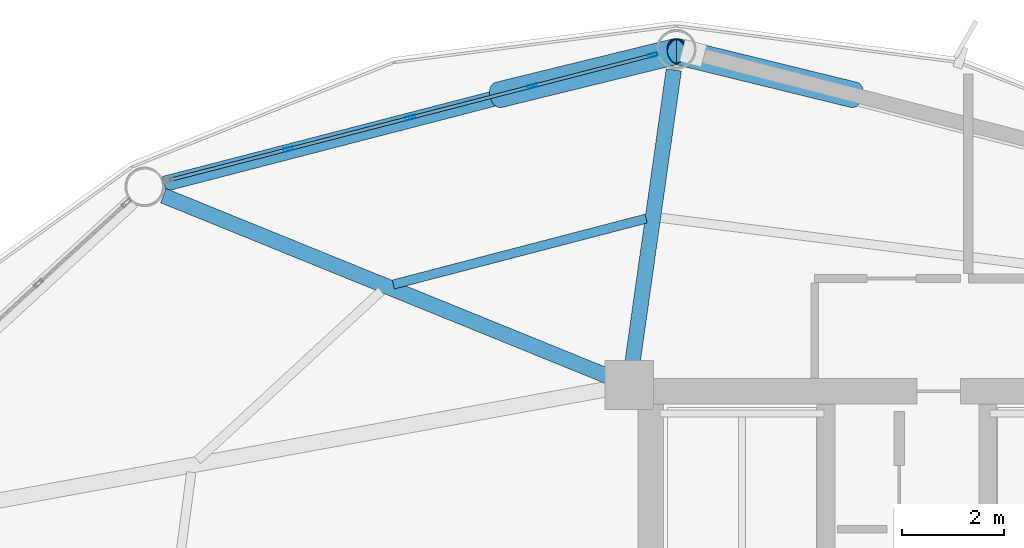
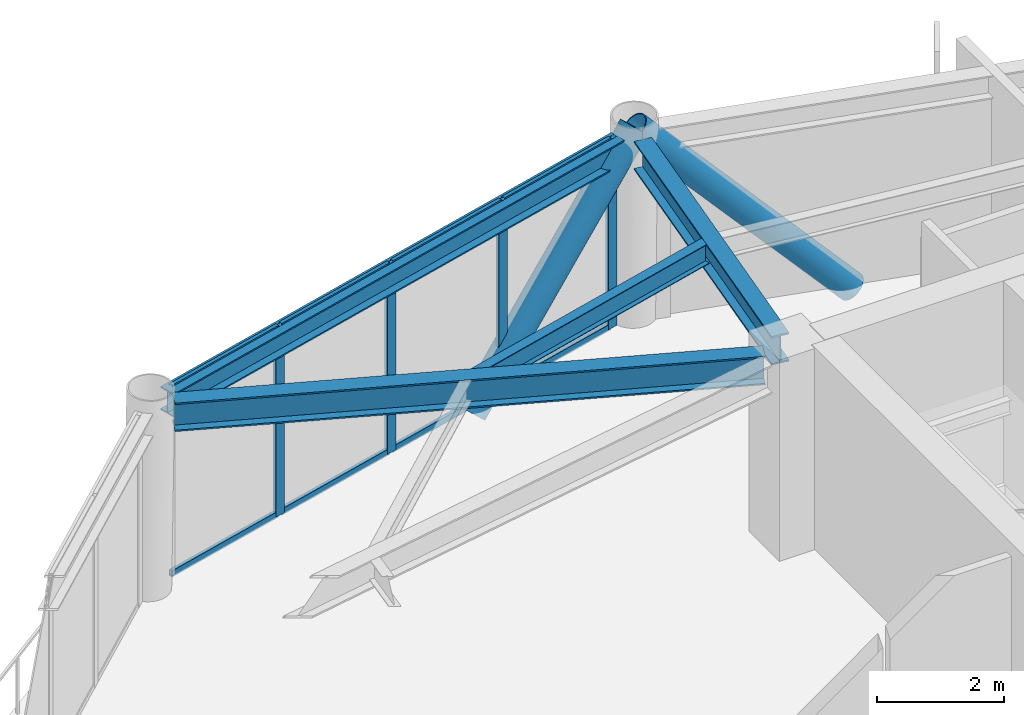
# One storey, part 18 of 27: 14 members, 4 beams, 1 element without a shape of its own.
"""IFC4 building model written with IfcOpenShell, lengths in metres."""

from ifc_helpers import new_model, si_unit, direction, frame, origin, origin_2d, place, context, subcontext, project, spatial, hollow_rectangle, hollow_circle, i_section, extrude, material, layer, layer_set, material_profile, profile_set, type_object, element, aggregate, save


model = new_model("IFC4")

# Units and contexts
model_context = context("Model", 3, precision=1e-05, world=origin(), true_north=direction((0.0, 1.0)))
body_context = subcontext(model_context, "Body", "Model", "MODEL_VIEW")
ifc_project = project(units=[si_unit("LENGTHUNIT", "METRE"), si_unit("AREAUNIT", "SQUARE_METRE"), si_unit("VOLUMEUNIT", "CUBIC_METRE"), si_unit("PLANEANGLEUNIT", "RADIAN"), si_unit("MASSUNIT", "GRAM", prefix="KILO")], contexts=[model_context])

# Site, building, storey
site_placement = place(None, origin())
site = spatial("IfcSite", under=ifc_project, at=site_placement, CompositionType="ELEMENT")
building_placement = place(site_placement, origin())
building = spatial("IfcBuilding", under=site, at=building_placement, Name="Varnakorn Sky Granary", CompositionType="ELEMENT")
storey_placement = place(building_placement, frame((0.0, 0.0, 142.199951171875)))
storey = spatial("IfcBuildingStorey", under=building, at=storey_placement, Name="L35", CompositionType="ELEMENT", Elevation=142.199951171875)

# Beams
ifc_material_1 = material(Name="Steel S355JR", Category="steel")
ifc_material_profile_1 = material_profile(ifc_material_1, i_section(OverallWidth=0.300048828125, OverallDepth=0.550048828125, WebThickness=0.014892578125, FlangeThickness=0.029052734375, at=origin_2d()), Name="HE 550 B")
ifc_profile_set_1 = profile_set([ifc_material_profile_1], Name="Steel S355JR")
beam_type_1 = type_object("IfcBeamType", Name="BM-RAD-Z3", PredefinedType="BEAM", material=ifc_profile_set_1)
beam_1_placement = place(storey_placement, frame((-2.361328125, 13.035888671875, 3.364990234375), z_axis=(0.13979319364, 0.9901807224, 0.0), x_axis=(-0.9901807224, 0.13979319364, 0.0)))
element("IfcBeam", 1, at=beam_1_placement, inside=storey, type_object=beam_type_1, Name="Radial Floor Girder RG04 L35", PredefinedType="BEAM", context=body_context, shape_type="SweptSolid", body=[
    extrude(i_section(OverallWidth=0.300048828125, OverallDepth=0.550048828125, WebThickness=0.014892578125, FlangeThickness=0.029052734375, at=origin_2d()), origin(), (0.0, 0.0, 1.0), 5.794677734375),
])
beam_2_placement = place(storey_placement, frame((-2.80908203125, 12.778076171875, 3.364990234375), z_axis=(-0.926422707242, 0.376485016312, 0.0), x_axis=(-0.376485016312, -0.926422707242, 0.0)))
element("IfcBeam", 2, at=beam_2_placement, inside=storey, type_object=beam_type_1, Name="Radial Floor Girder RG05 L35", PredefinedType="BEAM", context=body_context, shape_type="SweptSolid", body=[
    extrude(i_section(OverallWidth=0.300048828125, OverallDepth=0.550048828125, WebThickness=0.014892578125, FlangeThickness=0.029052734375, at=origin_2d()), origin(), (0.0, 0.0, 1.0), 9.40087890625),
])
ifc_material_profile_2 = material_profile(ifc_material_1, i_section(OverallWidth=0.179931640625, OverallDepth=0.39990234375, WebThickness=0.008544921875, FlangeThickness=0.013427734375, at=origin_2d()), Name="IPE 400")
ifc_profile_set_2 = profile_set([ifc_material_profile_2], Name="Steel S355JR")
beam_type_2 = type_object("IfcBeamType", Name="BM-SEC-Z3", PredefinedType="BEAM", material=ifc_profile_set_2)
beam_3_placement = place(storey_placement, frame((-2.091796875, 15.869384765625, 3.43994140625), z_axis=(-0.967684831561, -0.252162778313, 0.0), x_axis=(0.252162778313, -0.967684831561, 0.0)))
element("IfcBeam", 3, at=beam_3_placement, inside=storey, type_object=beam_type_2, Name="Secondary Floor Chord Beam MSB04 L35", PredefinedType="BEAM", context=body_context, shape_type="SweptSolid", body=[
    extrude(i_section(OverallWidth=0.179931640625, OverallDepth=0.39990234375, WebThickness=0.008544921875, FlangeThickness=0.013427734375, at=origin_2d()), origin(), (0.0, 0.0, 1.0), 5.101318359375),
])
ifc_material_profile_3 = material_profile(ifc_material_1, i_section(OverallWidth=0.300048828125, OverallDepth=0.449951171875, WebThickness=0.013916015625, FlangeThickness=0.02587890625, at=origin_2d()), Name="HE 450 B")
ifc_profile_set_3 = profile_set([ifc_material_profile_3], Name="Steel S355JR")
beam_type_3 = type_object("IfcBeamType", Name="BM-SPD-Z3", PredefinedType="SPANDREL", material=ifc_profile_set_3)
beam_4_placement = place(storey_placement, frame((-1.854248046875, 19.044189453125, 3.4150390625), z_axis=(-0.968106562543, -0.250538786541, 0.0), x_axis=(0.250538786541, -0.968106562543, 0.0)))
element("IfcBeam", 4, at=beam_4_placement, inside=storey, type_object=beam_type_3, Name="Perimeter Spandrel Ring Beam RB04 L35", PredefinedType="SPANDREL", context=body_context, shape_type="SweptSolid", body=[
    extrude(i_section(OverallWidth=0.300048828125, OverallDepth=0.449951171875, WebThickness=0.013916015625, FlangeThickness=0.02587890625, at=origin_2d()), origin(), (0.0, 0.0, 1.0), 9.966796875),
])

# Curtain wall, members
ifc_material_2 = material(Name="Anodised Bronze Aluminium Alloy 6063-T6", Category="aluminium")
ifc_layer = layer(ifc_material_2, 0.179931640625, Name="Anodised Bronze Aluminium Alloy 6063-T6")
ifc_layer_set = layer_set([ifc_layer], Name="Anodised Bronze Aluminium Alloy 6063-T6")
curtain_wall_type = type_object("IfcCurtainWallType", Name="CW-FRM-2", PredefinedType="USERDEFINED", material=ifc_layer_set)
curtain_wall_placement = place(storey_placement, origin())
curtain_wall = element("IfcCurtainWall", 5, at=curtain_wall_placement, inside=storey, type_object=curtain_wall_type, Name="Unitised Curtain Wall CW4 CW-L35-B04", ObjectType="CURTAIN WALL", PredefinedType="USERDEFINED")
ifc_material_profile_4 = material_profile(ifc_material_2, hollow_rectangle(XDim=0.070068359375, YDim=0.18505859375, WallThickness=0.00390625, at=origin_2d()), Name="ALU MULL 70x185")
ifc_profile_set_4 = profile_set([ifc_material_profile_4], Name="Anodised Bronze Aluminium Alloy 6063-T6")
member_type_1 = type_object("IfcMemberType", Name="CW-FRM-2-MULL", PredefinedType="MULLION", material=ifc_profile_set_4)
member_1_placement = place(storey_placement, frame((-9.079833984375, 17.22314453125, 0.0), z_axis=(0.0, 0.0, 1.0), x_axis=(-0.250348042267, 0.968155905696, 0.0)))
member_1 = element("IfcMember", 6, at=member_1_placement, type_object=member_type_1, Name="CW4 mullion 2", PredefinedType="MULLION", context=body_context, shape_type="SweptSolid", body=[
    extrude(hollow_rectangle(XDim=0.070068359375, YDim=0.18505859375, WallThickness=0.00390625, at=origin_2d()), origin(), (0.0, 0.0, 1.0), 3.64013671875),
])
member_2_placement = place(storey_placement, frame((-6.695556640625, 17.839599609375, 0.0), z_axis=(0.0, 0.0, 1.0), x_axis=(-0.250348042267, 0.968155905696, 0.0)))
member_2 = element("IfcMember", 7, at=member_2_placement, type_object=member_type_1, Name="CW4 mullion 3", PredefinedType="MULLION", context=body_context, shape_type="SweptSolid", body=[
    extrude(hollow_rectangle(XDim=0.070068359375, YDim=0.18505859375, WallThickness=0.00390625, at=origin_2d()), origin(), (0.0, 0.0, 1.0), 3.64013671875),
])
member_3_placement = place(storey_placement, frame((-4.311279296875, 18.4560546875, 0.0), z_axis=(0.0, 0.0, 1.0), x_axis=(-0.250348042267, 0.968155905696, 0.0)))
member_3 = element("IfcMember", 8, at=member_3_placement, type_object=member_type_1, Name="CW4 mullion 4", PredefinedType="MULLION", context=body_context, shape_type="SweptSolid", body=[
    extrude(hollow_rectangle(XDim=0.070068359375, YDim=0.18505859375, WallThickness=0.00390625, at=origin_2d()), origin(), (0.0, 0.0, 1.0), 3.64013671875),
])
member_4_placement = place(storey_placement, frame((-1.9609375, 19.063720703125, 0.0), z_axis=(0.0, 0.0, 1.0), x_axis=(-0.250348042267, 0.968155905696, 0.0)))
member_4 = element("IfcMember", 9, at=member_4_placement, type_object=member_type_1, Name="CW4 mullion 5", PredefinedType="MULLION", context=body_context, shape_type="SweptSolid", body=[
    extrude(hollow_rectangle(XDim=0.070068359375, YDim=0.18505859375, WallThickness=0.00390625, at=origin_2d()), origin(), (0.0, 0.0, 1.0), 3.64013671875),
])
ifc_material_profile_5 = material_profile(ifc_material_2, hollow_rectangle(XDim=0.06494140625, YDim=0.1201171875, WallThickness=0.00341796875, at=origin_2d()), Name="ALU TRAN 65x120")
ifc_profile_set_5 = profile_set([ifc_material_profile_5], Name="Anodised Bronze Aluminium Alloy 6063-T6")
member_type_2 = type_object("IfcMemberType", Name="CW-FRM-2-TRAN", PredefinedType="USERDEFINED", material=ifc_profile_set_5)
member_5_placement = place(storey_placement, frame((-11.396240234375, 16.6240234375, 0.032470703125), z_axis=(0.968149508129, 0.250372781888, 0.0), x_axis=(-0.250372781888, 0.968149508129, 0.0)))
member_5 = element("IfcMember", 10, at=member_5_placement, type_object=member_type_2, Name="CW4 transom 1.1", ObjectType="TRANSOM", PredefinedType="USERDEFINED", context=body_context, shape_type="SweptSolid", body=[
    extrude(hollow_rectangle(XDim=0.06494140625, YDim=0.1201171875, WallThickness=0.00341796875, at=origin_2d()), origin(), (0.0, 0.0, 1.0), 2.35791015625),
])
member_6_placement = place(storey_placement, frame((-11.396240234375, 16.6240234375, 3.607666015625), z_axis=(0.968149508129, 0.250372781888, 0.0), x_axis=(-0.250372781888, 0.968149508129, 0.0)))
member_6 = element("IfcMember", 11, at=member_6_placement, type_object=member_type_2, Name="CW4 transom 1.2", ObjectType="TRANSOM", PredefinedType="USERDEFINED", context=body_context, shape_type="SweptSolid", body=[
    extrude(hollow_rectangle(XDim=0.06494140625, YDim=0.1201171875, WallThickness=0.00341796875, at=origin_2d()), origin(), (0.0, 0.0, 1.0), 2.35791015625),
])
member_7_placement = place(storey_placement, frame((-9.0458984375, 17.231689453125, 0.032470703125), z_axis=(0.968141793845, 0.250402609833, 0.0), x_axis=(-0.250402609833, 0.968141793845, 0.0)))
member_7 = element("IfcMember", 12, at=member_7_placement, type_object=member_type_2, Name="CW4 transom 2.1", ObjectType="TRANSOM", PredefinedType="USERDEFINED", context=body_context, shape_type="SweptSolid", body=[
    extrude(hollow_rectangle(XDim=0.06494140625, YDim=0.1201171875, WallThickness=0.00341796875, at=origin_2d()), origin(), (0.0, 0.0, 1.0), 2.392578125),
])
member_8_placement = place(storey_placement, frame((-9.0458984375, 17.231689453125, 3.607666015625), z_axis=(0.968141793845, 0.250402609833, 0.0), x_axis=(-0.250402609833, 0.968141793845, 0.0)))
member_8 = element("IfcMember", 13, at=member_8_placement, type_object=member_type_2, Name="CW4 transom 2.2", ObjectType="TRANSOM", PredefinedType="USERDEFINED", context=body_context, shape_type="SweptSolid", body=[
    extrude(hollow_rectangle(XDim=0.06494140625, YDim=0.1201171875, WallThickness=0.00341796875, at=origin_2d()), origin(), (0.0, 0.0, 1.0), 2.392578125),
])
member_9_placement = place(storey_placement, frame((-6.66162109375, 17.848388671875, 0.032470703125), z_axis=(0.968166526472, 0.250306965581, 0.0), x_axis=(-0.250306965581, 0.968166526472, 0.0)))
member_9 = element("IfcMember", 14, at=member_9_placement, type_object=member_type_2, Name="CW4 transom 3.1", ObjectType="TRANSOM", PredefinedType="USERDEFINED", context=body_context, shape_type="SweptSolid", body=[
    extrude(hollow_rectangle(XDim=0.06494140625, YDim=0.1201171875, WallThickness=0.00341796875, at=origin_2d()), origin(), (0.0, 0.0, 1.0), 2.392578125),
])
member_10_placement = place(storey_placement, frame((-6.66162109375, 17.848388671875, 3.607666015625), z_axis=(0.968166526472, 0.250306965581, 0.0), x_axis=(-0.250306965581, 0.968166526472, 0.0)))
member_10 = element("IfcMember", 15, at=member_10_placement, type_object=member_type_2, Name="CW4 transom 3.2", ObjectType="TRANSOM", PredefinedType="USERDEFINED", context=body_context, shape_type="SweptSolid", body=[
    extrude(hollow_rectangle(XDim=0.06494140625, YDim=0.1201171875, WallThickness=0.00341796875, at=origin_2d()), origin(), (0.0, 0.0, 1.0), 2.392578125),
])
member_11_placement = place(storey_placement, frame((-4.27734375, 18.46484375, 0.032470703125), z_axis=(0.96814301625, 0.250397883548, 0.0), x_axis=(-0.250397883548, 0.96814301625, 0.0)))
member_11 = element("IfcMember", 16, at=member_11_placement, type_object=member_type_2, Name="CW4 transom 4.1", ObjectType="TRANSOM", PredefinedType="USERDEFINED", context=body_context, shape_type="SweptSolid", body=[
    extrude(hollow_rectangle(XDim=0.06494140625, YDim=0.1201171875, WallThickness=0.00341796875, at=origin_2d()), origin(), (0.0, 0.0, 1.0), 2.357666015625),
])
member_12_placement = place(storey_placement, frame((-4.27734375, 18.46484375, 3.607666015625), z_axis=(0.96814301625, 0.250397883548, 0.0), x_axis=(-0.250397883548, 0.96814301625, 0.0)))
member_12 = element("IfcMember", 17, at=member_12_placement, type_object=member_type_2, Name="CW4 transom 4.2", ObjectType="TRANSOM", PredefinedType="USERDEFINED", context=body_context, shape_type="SweptSolid", body=[
    extrude(hollow_rectangle(XDim=0.06494140625, YDim=0.1201171875, WallThickness=0.00341796875, at=origin_2d()), origin(), (0.0, 0.0, 1.0), 2.357666015625),
])
aggregate(curtain_wall, [member_1, member_2, member_3, member_4, member_5, member_6, member_7, member_8, member_9, member_10, member_11, member_12])

# Members
ifc_material_3 = material(Name="Steel S460M", Category="steel")
ifc_material_profile_6 = material_profile(ifc_material_3, hollow_circle(Radius=0.25390625, WallThickness=0.01806640625, at=origin_2d()), Name="CHS 508x18")
ifc_profile_set_6 = profile_set([ifc_material_profile_6], Name="Steel S460M")
member_type_3 = type_object("IfcMemberType", Name="MB-DIAG-T2", PredefinedType="BRACE", material=ifc_profile_set_6)
for number, where, z_axis, x_axis, name in (
    (18, (1.963623046875, 18.287353515625, -0.1298828125), (-0.667441449246, 0.163531858573, 0.726484165733), (-0.237974178406, -0.971271481313, 0.0), "Perimeter CHS Diagrid Brace DG03 L35"),
    (19, (-4.963623046875, 18.287353515625, -0.1298828125), (0.667441449246, 0.163531858573, 0.726484165733), (-0.237974178406, 0.971271481313, 0.0), "Perimeter CHS Diagrid Brace DG04 L35"),
):
    element("IfcMember", number, at=place(storey_placement, frame(where, z_axis=z_axis, x_axis=x_axis)), inside=storey, type_object=member_type_3, Name=name, PredefinedType="BRACE", context=body_context, shape_type="SweptSolid", body=[
        extrude(hollow_circle(Radius=0.25390625, WallThickness=0.01806640625, at=origin_2d()), origin(), (0.0, 0.0, 1.0), 5.189453125),
    ])

save(model, "model.ifc")
